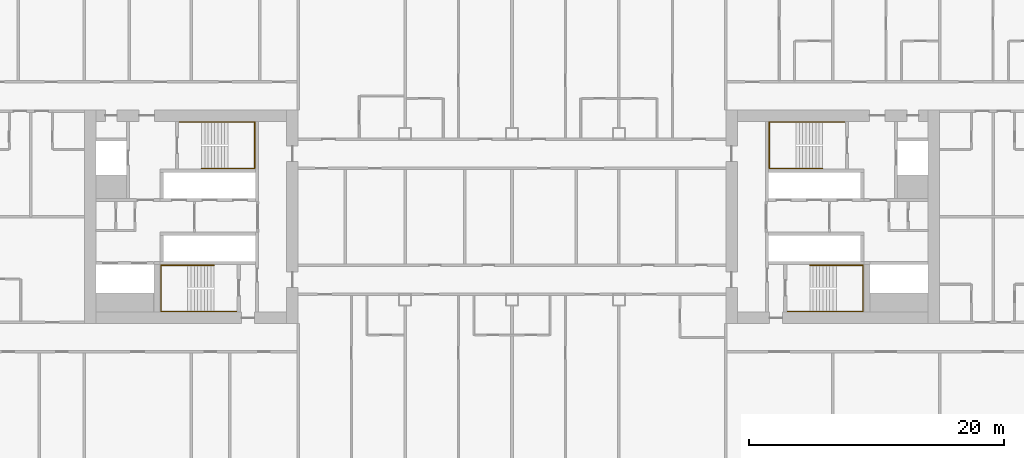
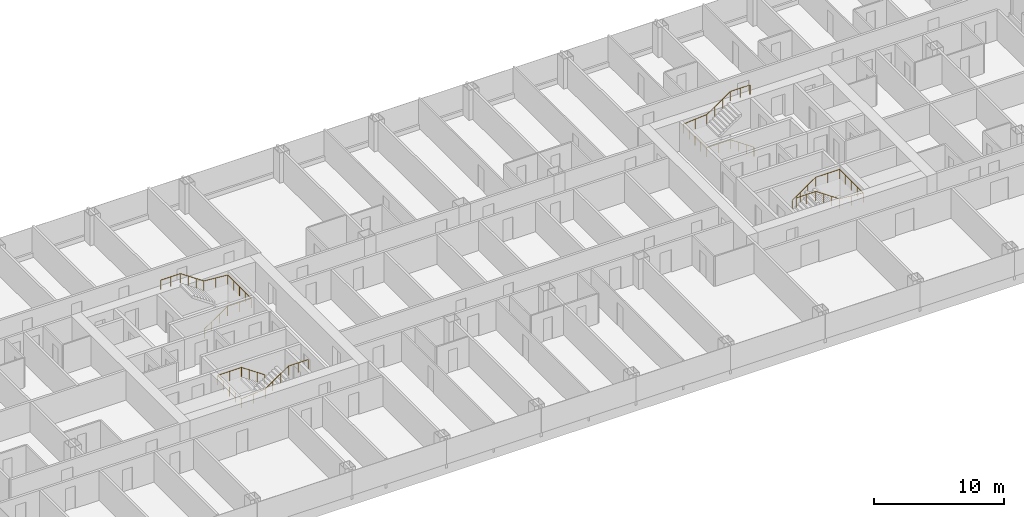
# One storey, part 28 of 28: 4 railings.
"""IFC4 building model written with IfcOpenShell, lengths in metres."""

import ifcopenshell
import ifcopenshell.guid

model = None  # the IFC model being written
_history = None  # IfcOwnerHistory: only IFC2X3 demands one
_inside = {}  # id of a spatial element -> (the spatial element, [elements in it])
_under = {}  # id of a project, library or spatial element -> (it, [spatial elements below it])
_declared = {}  # id of a project -> (the project, [libraries it declares])
_typed = {}  # id of a type object -> (the type object, [elements of that type])
_made_of = {}  # id of a material, layer set ... -> (it, [elements and type objects made of it])


def new_model(schema):
    """Start an empty IFC model of exactly this schema.

    Asked for "IFC4X3", IfcOpenShell would pick the latest addendum, in which some entities
    have other attributes; the version numbers below select the first issue.
    IFC2X3 requires an IfcOwnerHistory on every rooted entity: one is made here for all.
    """
    global model, _history
    if schema == "IFC4X3":
        model = ifcopenshell.file(schema_version=(4, 3, 0, 0))
    else:
        model = ifcopenshell.file(schema=schema)
    _inside.clear()
    _under.clear()
    _declared.clear()
    _typed.clear()
    _made_of.clear()
    _history = None
    if model.schema == "IFC2X3":
        org = make("IfcOrganization", Name="unknown")
        user = make(
            "IfcPersonAndOrganization",
            ThePerson=make("IfcPerson", FamilyName="unknown"),
            TheOrganization=org,
        )
        app = make(
            "IfcApplication",
            ApplicationDeveloper=org,
            Version="unknown",
            ApplicationFullName="unknown",
            ApplicationIdentifier="unknown",
        )
        _history = make(
            "IfcOwnerHistory",
            OwningUser=user,
            OwningApplication=app,
            ChangeAction="ADDED",
            CreationDate=0,
        )
    return model


def make(cls, **values):
    """One entity of the class cls with the attributes given. An attribute that is None is left unset."""
    return model.create_entity(
        cls, **{name: value for name, value in values.items() if value is not None}
    )


def rooted(cls, **values):
    """An entity with a GlobalId (a new one), such as an element, a storey or a relation."""
    return make(cls, GlobalId=ifcopenshell.guid.new(), OwnerHistory=_history, **values)


def si_unit(unit_type, name, prefix=None):
    """IfcSIUnit, for example si_unit("LENGTHUNIT", "METRE", prefix="MILLI")."""
    return make("IfcSIUnit", UnitType=unit_type, Prefix=prefix, Name=name)


def assignment(units):
    """IfcUnitAssignment: the units of a project."""
    return None if units is None else make("IfcUnitAssignment", Units=units)


def point(xyz):
    """IfcCartesianPoint."""
    return None if xyz is None else make("IfcCartesianPoint", Coordinates=xyz)


def direction(xyz):
    """IfcDirection."""
    return None if xyz is None else make("IfcDirection", DirectionRatios=xyz)


def frame(location, z_axis=None, x_axis=None):
    """IfcAxis2Placement3D, a coordinate frame: its origin and axes. An axis left out is left unset."""
    return make(
        "IfcAxis2Placement3D",
        Location=point(location),
        Axis=direction(z_axis),
        RefDirection=direction(x_axis),
    )


def frame_2d(location, x_axis=None):
    """IfcAxis2Placement2D, a coordinate frame in the plane: its origin and x axis."""
    return make(
        "IfcAxis2Placement2D", Location=point(location), RefDirection=direction(x_axis)
    )


def origin():
    """The frame at (0, 0, 0) with its axes left unset."""
    return frame((0.0, 0.0, 0.0))


def origin_2d():
    """The frame at (0, 0) in the plane with its x axis left unset."""
    return frame_2d((0.0, 0.0))


def place(relative_to, where):
    """IfcLocalPlacement: puts the frame where relative to a parent placement (None: the world)."""
    return make(
        "IfcLocalPlacement", PlacementRelTo=relative_to, RelativePlacement=where
    )


def context(
    kind, dimensions, precision=None, world=None, true_north=None, identifier=None
):
    """IfcGeometricRepresentationContext, for example the 3D "Model" context."""
    return make(
        "IfcGeometricRepresentationContext",
        ContextIdentifier=identifier,
        ContextType=kind,
        CoordinateSpaceDimension=dimensions,
        Precision=precision,
        WorldCoordinateSystem=world,
        TrueNorth=true_north,
    )


def subcontext(parent, identifier, kind, view, scale=None):
    """IfcGeometricRepresentationSubContext, for example "Body" below "Model"."""
    return make(
        "IfcGeometricRepresentationSubContext",
        ContextIdentifier=identifier,
        ContextType=kind,
        ParentContext=parent,
        TargetScale=scale,
        TargetView=view,
    )


def project(units=None, contexts=None):
    """IfcProject with its units and contexts."""
    return rooted(
        "IfcProject",
        Name="project",
        RepresentationContexts=contexts,
        UnitsInContext=assignment(units),
    )


def spatial(cls, under=None, at=None, **own):
    """A site, building, storey or space (cls), placed at a placement, below another one or the project."""
    s = rooted(cls, ObjectPlacement=at, **own)
    if under is not None:
        _under.setdefault(under.id(), (under, []))[1].append(s)
    return s


def profile(cls, at=None, kind="AREA", **sizes):
    """A parametric profile (cls). Its sizes go by their IFC names, for example OverallWidth=200.0."""
    return make(cls, ProfileType=kind, Position=at, **sizes)


def circle(**sizes):
    """IfcCircleProfileDef."""
    return profile("IfcCircleProfileDef", **sizes)


def extrude(swept, where, along, depth):
    """IfcExtrudedAreaSolid: the profile swept, set in the frame where, extruded along a direction by depth."""
    return make(
        "IfcExtrudedAreaSolid",
        SweptArea=swept,
        Position=where,
        ExtrudedDirection=direction(along),
        Depth=depth,
    )


def shape(context_of_items, identifier, shape_type, items):
    """IfcShapeRepresentation: the items that make up one representation, for example the "Body"."""
    return make(
        "IfcShapeRepresentation",
        ContextOfItems=context_of_items,
        RepresentationIdentifier=identifier,
        RepresentationType=shape_type,
        Items=items,
    )


def material(Name=None, Category=None):
    """IfcMaterial."""
    return make("IfcMaterial", Name=Name, Category=Category)


def made_of(thing, what):
    """Note that an element or type object is made of a material, layer set ...; save() writes the relation."""
    if what is not None:
        _made_of.setdefault(what.id(), (what, []))[1].append(thing)
    return thing


def type_object(cls, material=None, **own):
    """A type object (cls), such as IfcWallType, which elements share."""
    return made_of(rooted(cls, **own), material)


def element(
    cls,
    number,
    at=None,
    inside=None,
    cuts=None,
    type_object=None,
    material=None,
    context=None,
    identifier="Body",
    shape_type=None,
    held_by="IfcProductDefinitionShape",
    body=None,
    shapes=None,
    **own,
):
    """One element of the class cls, such as IfcWall. Its Tag is "e" and its number.

    at: its placement. inside: the storey or other place that contains it. cuts: it is an
    opening in that element (IfcRelVoidsElement). A single representation is given by context,
    identifier, shape_type and body (its items); several are given by shapes. held_by: the class
    of the entity that holds the representations. save() writes the other relations.
    """
    e = rooted(cls, Tag="e%d" % number, ObjectPlacement=at, **own)
    if body is not None:
        shapes = [shape(context, identifier, shape_type, body)]
    if shapes is not None:
        e.Representation = make(held_by, Representations=shapes)
    if inside is not None:
        _inside.setdefault(inside.id(), (inside, []))[1].append(e)
    if cuts is not None:
        rooted(
            "IfcRelVoidsElement", RelatingBuildingElement=cuts, RelatedOpeningElement=e
        )
    if type_object is not None:
        _typed.setdefault(type_object.id(), (type_object, []))[1].append(e)
    return made_of(e, material)


def aggregate(whole, parts):
    """IfcRelAggregates: a whole, such as a stair, and the parts it consists of."""
    return rooted("IfcRelAggregates", RelatingObject=whole, RelatedObjects=parts)


def save(model, path):
    """Write the relations noted so far, then the file.

    IfcRelAggregates (storeys below a building ...), IfcRelContainedInSpatialStructure (elements
    in a storey), IfcRelDefinesByType, IfcRelAssociatesMaterial and IfcRelDeclares: one each for
    every whole, place, type object, material and project.
    """
    for whole, parts in _under.values():
        aggregate(whole, parts)
    for where, things in _inside.values():
        rooted(
            "IfcRelContainedInSpatialStructure",
            RelatedElements=things,
            RelatingStructure=where,
        )
    for kind, things in _typed.values():
        rooted("IfcRelDefinesByType", RelatedObjects=things, RelatingType=kind)
    for what, things in _made_of.values():
        rooted("IfcRelAssociatesMaterial", RelatedObjects=things, RelatingMaterial=what)
    for by, libraries in _declared.values():
        rooted("IfcRelDeclares", RelatingContext=by, RelatedDefinitions=libraries)
    model.write(path)


model = new_model("IFC4")

# Units and contexts
model_context = context("Model", 3, precision=1e-05, world=origin(), true_north=direction((0.0, 1.0)))
body_context = subcontext(model_context, "Body", "Model", "MODEL_VIEW")
ifc_project = project(units=[si_unit("LENGTHUNIT", "METRE"), si_unit("AREAUNIT", "SQUARE_METRE"), si_unit("VOLUMEUNIT", "CUBIC_METRE"), si_unit("PLANEANGLEUNIT", "RADIAN"), si_unit("MASSUNIT", "GRAM", prefix="KILO")], contexts=[model_context])

# Site, building, storey
site_placement = place(None, origin())
site = spatial("IfcSite", under=ifc_project, at=site_placement, CompositionType="ELEMENT")
building_placement = place(site_placement, origin())
building = spatial("IfcBuilding", under=site, at=building_placement, Name="Hakoniwa Tower and Hamabe Station Hall", CompositionType="ELEMENT")
storey_placement = place(building_placement, frame((0.0, 0.0, 32.60009765625)))
storey = spatial("IfcBuildingStorey", under=building, at=storey_placement, Name="L08", CompositionType="ELEMENT", Elevation=32.60009765625)

# Railings
ifc_material = material(Name="Stainless steel SUS304", Category="steel")
railing_type = type_object("IfcRailingType", Name="STAIR HANDRAIL 900", PredefinedType="HANDRAIL", material=ifc_material)
railing_1_placement = place(storey_placement, frame((-24.39990234375, 3.81005859375, 0.177734375)))
element("IfcRailing", 1, at=railing_1_placement, inside=storey, type_object=railing_type, Name="Handrail ST-1 L08 1", PredefinedType="HANDRAIL", context=body_context, shape_type="SweptSolid", body=[
    extrude(circle(Radius=0.02392578125, at=origin_2d()), frame((0.0, 0.0, 0.8759765625), z_axis=(0.825478349766, 0.0, 0.564433781827), x_axis=(0.0, 1.0, 0.0)), (0.0, 0.0, 1.0), 2.51953125),
    extrude(circle(Radius=0.02392578125, at=origin_2d()), frame((2.079833984375, 0.0, 2.2978515625), z_axis=(1.0, 0.0, 0.0), x_axis=(0.0, 1.0, 0.0)), (0.0, 0.0, 1.0), 2.110107421875),
    extrude(circle(Radius=0.02392578125, at=origin_2d()), frame((4.18994140625, 0.0, 2.2978515625), z_axis=(0.0, 1.0, 0.0), x_axis=(-1.0, 0.0, 0.0)), (0.0, 0.0, 1.0), 3.6298828125),
    extrude(circle(Radius=0.02392578125, at=origin_2d()), frame((4.18994140625, 3.6298828125, 2.2978515625), z_axis=(-0.996471417081, 0.0, 0.083932800143), x_axis=(0.0, -1.0, 0.0)), (0.0, 0.0, 1.0), 2.11767578125),
    extrude(circle(Radius=0.02392578125, at=origin_2d()), frame((2.079833984375, 3.6298828125, 2.4755859375), z_axis=(-0.825433201882, 0.0, 0.564499804456), x_axis=(0.0, -1.0, 0.0)), (0.0, 0.0, 1.0), 2.519775390625),
    extrude(circle(Radius=0.02392578125, at=origin_2d()), frame((0.0, 3.6298828125, 3.89794921875), z_axis=(-1.0, 0.0, 0.0), x_axis=(0.0, -1.0, 0.0)), (0.0, 0.0, 1.0), 1.739990234375),
    extrude(circle(Radius=0.02099609375, at=origin_2d()), origin(), (0.0, 0.0, 1.0), 0.851806640625),
    extrude(circle(Radius=0.02099609375, at=origin_2d()), frame((0.693359375, 0.0, 0.47412109375)), (0.0, 0.0, 1.0), 0.851806640625),
    extrude(circle(Radius=0.02099609375, at=origin_2d()), frame((1.386474609375, 0.0, 0.947998046875)), (0.0, 0.0, 1.0), 0.851806640625),
    extrude(circle(Radius=0.02099609375, at=origin_2d()), frame((2.079833984375, 0.0, 1.422119140625)), (0.0, 0.0, 1.0), 0.851806640625),
    extrude(circle(Radius=0.02099609375, at=origin_2d()), frame((3.134765625, 0.0, 1.422119140625)), (0.0, 0.0, 1.0), 0.851806640625),
    extrude(circle(Radius=0.02099609375, at=origin_2d()), frame((4.18994140625, 0.0, 1.422119140625)), (0.0, 0.0, 1.0), 0.851806640625),
    extrude(circle(Radius=0.02099609375, at=origin_2d()), frame((4.18994140625, 0.907470703125, 1.422119140625)), (0.0, 0.0, 1.0), 0.851806640625),
    extrude(circle(Radius=0.02099609375, at=origin_2d()), frame((4.18994140625, 1.81494140625, 1.422119140625)), (0.0, 0.0, 1.0), 0.851806640625),
    extrude(circle(Radius=0.02099609375, at=origin_2d()), frame((4.18994140625, 2.722412109375, 1.422119140625)), (0.0, 0.0, 1.0), 0.851806640625),
    extrude(circle(Radius=0.02099609375, at=origin_2d()), frame((4.18994140625, 3.6298828125, 1.422119140625)), (0.0, 0.0, 1.0), 0.851806640625),
    extrude(circle(Radius=0.02099609375, at=origin_2d()), frame((3.134765625, 3.6298828125, 1.510986328125)), (0.0, 0.0, 1.0), 0.851806640625),
    extrude(circle(Radius=0.02099609375, at=origin_2d()), frame((2.079833984375, 3.6298828125, 1.599853515625)), (0.0, 0.0, 1.0), 0.851806640625),
    extrude(circle(Radius=0.02099609375, at=origin_2d()), frame((1.386474609375, 3.6298828125, 2.073974609375)), (0.0, 0.0, 1.0), 0.851806640625),
    extrude(circle(Radius=0.02099609375, at=origin_2d()), frame((0.693359375, 3.6298828125, 2.548095703125)), (0.0, 0.0, 1.0), 0.851806640625),
    extrude(circle(Radius=0.02099609375, at=origin_2d()), frame((0.0, 3.6298828125, 3.022216796875)), (0.0, 0.0, 1.0), 0.851806640625),
    extrude(circle(Radius=0.02099609375, at=origin_2d()), frame((-0.8701171875, 3.6298828125, 3.022216796875)), (0.0, 0.0, 1.0), 0.851806640625),
    extrude(circle(Radius=0.02099609375, at=origin_2d()), frame((-1.739990234375, 3.6298828125, 3.022216796875)), (0.0, 0.0, 1.0), 0.851806640625),
])
railing_2_placement = place(storey_placement, frame((-23.39990234375, -3.81005859375, 0.177734375)))
element("IfcRailing", 2, at=railing_2_placement, inside=storey, type_object=railing_type, Name="Handrail ST-2 L08 1", PredefinedType="HANDRAIL", context=body_context, shape_type="SweptSolid", body=[
    extrude(circle(Radius=0.02392578125, at=origin_2d()), frame((0.0, 0.0, 0.8759765625), z_axis=(-0.82550921652, 0.0, 0.564388636881), x_axis=(0.0, -1.0, 0.0)), (0.0, 0.0, 1.0), 2.519775390625),
    extrude(circle(Radius=0.02392578125, at=origin_2d()), frame((-2.080078125, 0.0, 2.2978515625), z_axis=(-1.0, 0.0, 0.0), x_axis=(0.0, -1.0, 0.0)), (0.0, 0.0, 1.0), 2.110107421875),
    extrude(circle(Radius=0.02392578125, at=origin_2d()), frame((-4.190185546875, 0.0, 2.2978515625), z_axis=(0.0, -1.0, 0.0), x_axis=(1.0, 0.0, 0.0)), (0.0, 0.0, 1.0), 3.6298828125),
    extrude(circle(Radius=0.02392578125, at=origin_2d()), frame((-4.190185546875, -3.6298828125, 2.2978515625), z_axis=(0.996471417081, 0.0, 0.083932800143), x_axis=(0.0, 1.0, 0.0)), (0.0, 0.0, 1.0), 2.11767578125),
    extrude(circle(Radius=0.02392578125, at=origin_2d()), frame((-2.080078125, -3.6298828125, 2.4755859375), z_axis=(0.825464074169, 0.0, 0.564454659168), x_axis=(0.0, 1.0, 0.0)), (0.0, 0.0, 1.0), 2.519775390625),
    extrude(circle(Radius=0.02392578125, at=origin_2d()), frame((0.0, -3.6298828125, 3.89794921875), z_axis=(1.0, 0.0, 0.0), x_axis=(0.0, 1.0, 0.0)), (0.0, 0.0, 1.0), 1.739990234375),
    extrude(circle(Radius=0.02099609375, at=origin_2d()), origin(), (0.0, 0.0, 1.0), 0.851806640625),
    extrude(circle(Radius=0.02099609375, at=origin_2d()), frame((-0.693359375, 0.0, 0.47412109375)), (0.0, 0.0, 1.0), 0.851806640625),
    extrude(circle(Radius=0.02099609375, at=origin_2d()), frame((-1.38671875, 0.0, 0.947998046875)), (0.0, 0.0, 1.0), 0.851806640625),
    extrude(circle(Radius=0.02099609375, at=origin_2d()), frame((-2.080078125, 0.0, 1.422119140625)), (0.0, 0.0, 1.0), 0.851806640625),
    extrude(circle(Radius=0.02099609375, at=origin_2d()), frame((-3.13525390625, 0.0, 1.422119140625)), (0.0, 0.0, 1.0), 0.851806640625),
    extrude(circle(Radius=0.02099609375, at=origin_2d()), frame((-4.190185546875, 0.0, 1.422119140625)), (0.0, 0.0, 1.0), 0.851806640625),
    extrude(circle(Radius=0.02099609375, at=origin_2d()), frame((-4.190185546875, -0.907470703125, 1.422119140625)), (0.0, 0.0, 1.0), 0.851806640625),
    extrude(circle(Radius=0.02099609375, at=origin_2d()), frame((-4.190185546875, -1.81494140625, 1.422119140625)), (0.0, 0.0, 1.0), 0.851806640625),
    extrude(circle(Radius=0.02099609375, at=origin_2d()), frame((-4.190185546875, -2.722412109375, 1.422119140625)), (0.0, 0.0, 1.0), 0.851806640625),
    extrude(circle(Radius=0.02099609375, at=origin_2d()), frame((-4.190185546875, -3.6298828125, 1.422119140625)), (0.0, 0.0, 1.0), 0.851806640625),
    extrude(circle(Radius=0.02099609375, at=origin_2d()), frame((-3.13525390625, -3.6298828125, 1.510986328125)), (0.0, 0.0, 1.0), 0.851806640625),
    extrude(circle(Radius=0.02099609375, at=origin_2d()), frame((-2.080078125, -3.6298828125, 1.599853515625)), (0.0, 0.0, 1.0), 0.851806640625),
    extrude(circle(Radius=0.02099609375, at=origin_2d()), frame((-1.38671875, -3.6298828125, 2.073974609375)), (0.0, 0.0, 1.0), 0.851806640625),
    extrude(circle(Radius=0.02099609375, at=origin_2d()), frame((-0.693359375, -3.6298828125, 2.548095703125)), (0.0, 0.0, 1.0), 0.851806640625),
    extrude(circle(Radius=0.02099609375, at=origin_2d()), frame((0.0, -3.6298828125, 3.022216796875)), (0.0, 0.0, 1.0), 0.851806640625),
    extrude(circle(Radius=0.02099609375, at=origin_2d()), frame((0.8701171875, -3.6298828125, 3.022216796875)), (0.0, 0.0, 1.0), 0.851806640625),
    extrude(circle(Radius=0.02099609375, at=origin_2d()), frame((1.739990234375, -3.6298828125, 3.022216796875)), (0.0, 0.0, 1.0), 0.851806640625),
])
railing_3_placement = place(storey_placement, frame((24.39990234375, 3.81005859375, 0.177734375)))
element("IfcRailing", 3, at=railing_3_placement, inside=storey, type_object=railing_type, Name="Handrail ST-3 L08 1", PredefinedType="HANDRAIL", context=body_context, shape_type="SweptSolid", body=[
    extrude(circle(Radius=0.02392578125, at=origin_2d()), frame((0.0, 0.0, 0.8759765625), z_axis=(-0.825478349766, 0.0, 0.564433781827), x_axis=(0.0, -1.0, 0.0)), (0.0, 0.0, 1.0), 2.51953125),
    extrude(circle(Radius=0.02392578125, at=origin_2d()), frame((-2.079833984375, 0.0, 2.2978515625), z_axis=(-1.0, 0.0, 0.0), x_axis=(0.0, -1.0, 0.0)), (0.0, 0.0, 1.0), 2.110107421875),
    extrude(circle(Radius=0.02392578125, at=origin_2d()), frame((-4.18994140625, 0.0, 2.2978515625), z_axis=(0.0, 1.0, 0.0), x_axis=(-1.0, 0.0, 0.0)), (0.0, 0.0, 1.0), 3.6298828125),
    extrude(circle(Radius=0.02392578125, at=origin_2d()), frame((-4.18994140625, 3.6298828125, 2.2978515625), z_axis=(0.996471417081, 0.0, 0.083932800143), x_axis=(0.0, 1.0, 0.0)), (0.0, 0.0, 1.0), 2.11767578125),
    extrude(circle(Radius=0.02392578125, at=origin_2d()), frame((-2.079833984375, 3.6298828125, 2.4755859375), z_axis=(0.825433201882, 0.0, 0.564499804456), x_axis=(0.0, 1.0, 0.0)), (0.0, 0.0, 1.0), 2.519775390625),
    extrude(circle(Radius=0.02392578125, at=origin_2d()), frame((0.0, 3.6298828125, 3.89794921875), z_axis=(1.0, 0.0, 0.0), x_axis=(0.0, 1.0, 0.0)), (0.0, 0.0, 1.0), 1.739990234375),
    extrude(circle(Radius=0.02099609375, at=origin_2d()), origin(), (0.0, 0.0, 1.0), 0.851806640625),
    extrude(circle(Radius=0.02099609375, at=origin_2d()), frame((-0.693359375, 0.0, 0.47412109375)), (0.0, 0.0, 1.0), 0.851806640625),
    extrude(circle(Radius=0.02099609375, at=origin_2d()), frame((-1.386474609375, 0.0, 0.947998046875)), (0.0, 0.0, 1.0), 0.851806640625),
    extrude(circle(Radius=0.02099609375, at=origin_2d()), frame((-2.079833984375, 0.0, 1.422119140625)), (0.0, 0.0, 1.0), 0.851806640625),
    extrude(circle(Radius=0.02099609375, at=origin_2d()), frame((-3.134765625, 0.0, 1.422119140625)), (0.0, 0.0, 1.0), 0.851806640625),
    extrude(circle(Radius=0.02099609375, at=origin_2d()), frame((-4.18994140625, 0.0, 1.422119140625)), (0.0, 0.0, 1.0), 0.851806640625),
    extrude(circle(Radius=0.02099609375, at=origin_2d()), frame((-4.18994140625, 0.907470703125, 1.422119140625)), (0.0, 0.0, 1.0), 0.851806640625),
    extrude(circle(Radius=0.02099609375, at=origin_2d()), frame((-4.18994140625, 1.81494140625, 1.422119140625)), (0.0, 0.0, 1.0), 0.851806640625),
    extrude(circle(Radius=0.02099609375, at=origin_2d()), frame((-4.18994140625, 2.722412109375, 1.422119140625)), (0.0, 0.0, 1.0), 0.851806640625),
    extrude(circle(Radius=0.02099609375, at=origin_2d()), frame((-4.18994140625, 3.6298828125, 1.422119140625)), (0.0, 0.0, 1.0), 0.851806640625),
    extrude(circle(Radius=0.02099609375, at=origin_2d()), frame((-3.134765625, 3.6298828125, 1.510986328125)), (0.0, 0.0, 1.0), 0.851806640625),
    extrude(circle(Radius=0.02099609375, at=origin_2d()), frame((-2.079833984375, 3.6298828125, 1.599853515625)), (0.0, 0.0, 1.0), 0.851806640625),
    extrude(circle(Radius=0.02099609375, at=origin_2d()), frame((-1.386474609375, 3.6298828125, 2.073974609375)), (0.0, 0.0, 1.0), 0.851806640625),
    extrude(circle(Radius=0.02099609375, at=origin_2d()), frame((-0.693359375, 3.6298828125, 2.548095703125)), (0.0, 0.0, 1.0), 0.851806640625),
    extrude(circle(Radius=0.02099609375, at=origin_2d()), frame((0.0, 3.6298828125, 3.022216796875)), (0.0, 0.0, 1.0), 0.851806640625),
    extrude(circle(Radius=0.02099609375, at=origin_2d()), frame((0.8701171875, 3.6298828125, 3.022216796875)), (0.0, 0.0, 1.0), 0.851806640625),
    extrude(circle(Radius=0.02099609375, at=origin_2d()), frame((1.739990234375, 3.6298828125, 3.022216796875)), (0.0, 0.0, 1.0), 0.851806640625),
])
railing_4_placement = place(storey_placement, frame((23.39990234375, -3.81005859375, 0.177734375)))
element("IfcRailing", 4, at=railing_4_placement, inside=storey, type_object=railing_type, Name="Handrail ST-4 L08 1", PredefinedType="HANDRAIL", context=body_context, shape_type="SweptSolid", body=[
    extrude(circle(Radius=0.02392578125, at=origin_2d()), frame((0.0, 0.0, 0.8759765625), z_axis=(0.82550921652, 0.0, 0.564388636881), x_axis=(0.0, 1.0, 0.0)), (0.0, 0.0, 1.0), 2.519775390625),
    extrude(circle(Radius=0.02392578125, at=origin_2d()), frame((2.080078125, 0.0, 2.2978515625), z_axis=(1.0, 0.0, 0.0), x_axis=(0.0, 1.0, 0.0)), (0.0, 0.0, 1.0), 2.110107421875),
    extrude(circle(Radius=0.02392578125, at=origin_2d()), frame((4.190185546875, 0.0, 2.2978515625), z_axis=(0.0, -1.0, 0.0), x_axis=(1.0, 0.0, 0.0)), (0.0, 0.0, 1.0), 3.6298828125),
    extrude(circle(Radius=0.02392578125, at=origin_2d()), frame((4.190185546875, -3.6298828125, 2.2978515625), z_axis=(-0.996471417081, 0.0, 0.083932800143), x_axis=(0.0, -1.0, 0.0)), (0.0, 0.0, 1.0), 2.11767578125),
    extrude(circle(Radius=0.02392578125, at=origin_2d()), frame((2.080078125, -3.6298828125, 2.4755859375), z_axis=(-0.825464074169, 0.0, 0.564454659168), x_axis=(0.0, -1.0, 0.0)), (0.0, 0.0, 1.0), 2.519775390625),
    extrude(circle(Radius=0.02392578125, at=origin_2d()), frame((0.0, -3.6298828125, 3.89794921875), z_axis=(-1.0, 0.0, 0.0), x_axis=(0.0, -1.0, 0.0)), (0.0, 0.0, 1.0), 1.739990234375),
    extrude(circle(Radius=0.02099609375, at=origin_2d()), origin(), (0.0, 0.0, 1.0), 0.851806640625),
    extrude(circle(Radius=0.02099609375, at=origin_2d()), frame((0.693359375, 0.0, 0.47412109375)), (0.0, 0.0, 1.0), 0.851806640625),
    extrude(circle(Radius=0.02099609375, at=origin_2d()), frame((1.38671875, 0.0, 0.947998046875)), (0.0, 0.0, 1.0), 0.851806640625),
    extrude(circle(Radius=0.02099609375, at=origin_2d()), frame((2.080078125, 0.0, 1.422119140625)), (0.0, 0.0, 1.0), 0.851806640625),
    extrude(circle(Radius=0.02099609375, at=origin_2d()), frame((3.13525390625, 0.0, 1.422119140625)), (0.0, 0.0, 1.0), 0.851806640625),
    extrude(circle(Radius=0.02099609375, at=origin_2d()), frame((4.190185546875, 0.0, 1.422119140625)), (0.0, 0.0, 1.0), 0.851806640625),
    extrude(circle(Radius=0.02099609375, at=origin_2d()), frame((4.190185546875, -0.907470703125, 1.422119140625)), (0.0, 0.0, 1.0), 0.851806640625),
    extrude(circle(Radius=0.02099609375, at=origin_2d()), frame((4.190185546875, -1.81494140625, 1.422119140625)), (0.0, 0.0, 1.0), 0.851806640625),
    extrude(circle(Radius=0.02099609375, at=origin_2d()), frame((4.190185546875, -2.722412109375, 1.422119140625)), (0.0, 0.0, 1.0), 0.851806640625),
    extrude(circle(Radius=0.02099609375, at=origin_2d()), frame((4.190185546875, -3.6298828125, 1.422119140625)), (0.0, 0.0, 1.0), 0.851806640625),
    extrude(circle(Radius=0.02099609375, at=origin_2d()), frame((3.13525390625, -3.6298828125, 1.510986328125)), (0.0, 0.0, 1.0), 0.851806640625),
    extrude(circle(Radius=0.02099609375, at=origin_2d()), frame((2.080078125, -3.6298828125, 1.599853515625)), (0.0, 0.0, 1.0), 0.851806640625),
    extrude(circle(Radius=0.02099609375, at=origin_2d()), frame((1.38671875, -3.6298828125, 2.073974609375)), (0.0, 0.0, 1.0), 0.851806640625),
    extrude(circle(Radius=0.02099609375, at=origin_2d()), frame((0.693359375, -3.6298828125, 2.548095703125)), (0.0, 0.0, 1.0), 0.851806640625),
    extrude(circle(Radius=0.02099609375, at=origin_2d()), frame((0.0, -3.6298828125, 3.022216796875)), (0.0, 0.0, 1.0), 0.851806640625),
    extrude(circle(Radius=0.02099609375, at=origin_2d()), frame((-0.8701171875, -3.6298828125, 3.022216796875)), (0.0, 0.0, 1.0), 0.851806640625),
    extrude(circle(Radius=0.02099609375, at=origin_2d()), frame((-1.739990234375, -3.6298828125, 3.022216796875)), (0.0, 0.0, 1.0), 0.851806640625),
])

save(model, "model.ifc")
